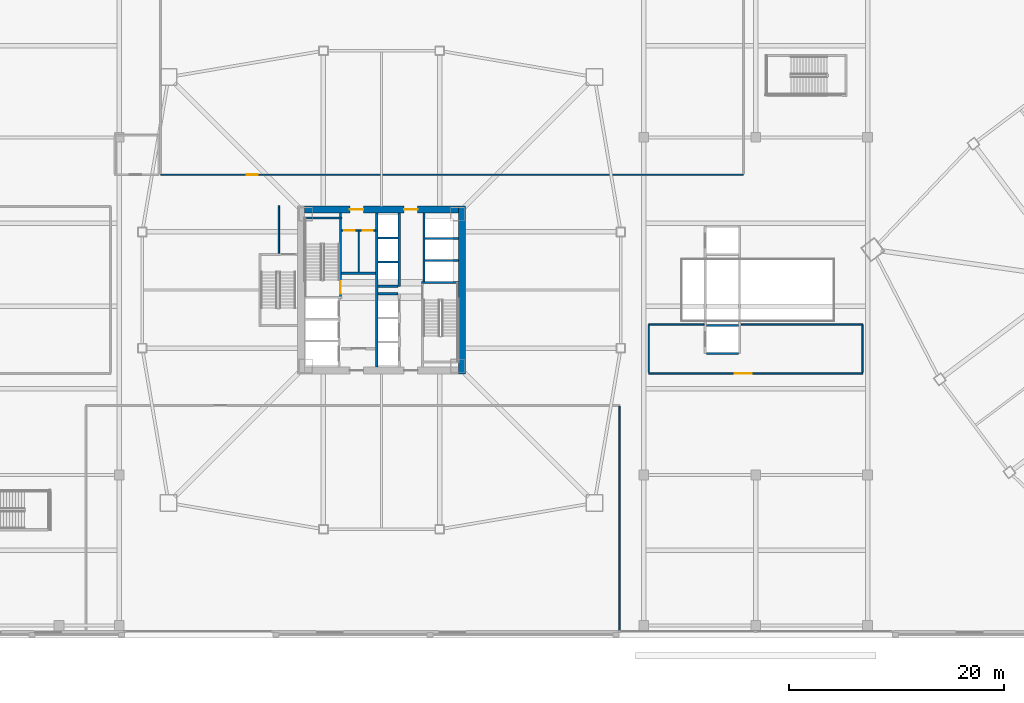
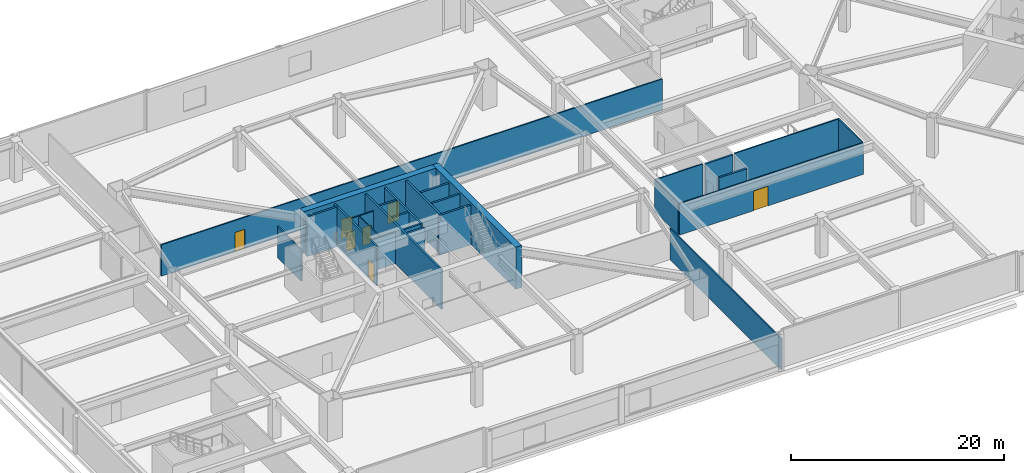
# One storey, part 31 of 44: 27 walls, 7 doors, 7 openings.
"""IFC4 building model written with IfcOpenShell, lengths in metres."""

from ifc_helpers import new_model, si_unit, direction, frame, frame_2d, origin, place, context, subcontext, project, spatial, rectangle, extrude, material, layer, layer_set, type_object, element, fill, save


model = new_model("IFC4")

# Units and contexts
model_context = context("Model", 3, precision=1e-05, world=origin(), true_north=direction((0.0, 1.0)))
body_context = subcontext(model_context, "Body", "Model", "MODEL_VIEW")
ifc_project = project(units=[si_unit("LENGTHUNIT", "METRE"), si_unit("AREAUNIT", "SQUARE_METRE"), si_unit("VOLUMEUNIT", "CUBIC_METRE"), si_unit("PLANEANGLEUNIT", "RADIAN"), si_unit("MASSUNIT", "GRAM", prefix="KILO")], contexts=[model_context])

# Site, building, storey
site_placement = place(None, origin())
site = spatial("IfcSite", under=ifc_project, at=site_placement, CompositionType="ELEMENT")
building_placement = place(site_placement, origin())
building = spatial("IfcBuilding", under=site, at=building_placement, Name="Tashvorn Skyway Center", CompositionType="ELEMENT")
storey_placement = place(building_placement, frame((0.0, 0.0, 5.39990234375)))
storey = spatial("IfcBuildingStorey", under=building, at=storey_placement, Name="L01", CompositionType="ELEMENT", Elevation=5.39990234375)

# Wall
ifc_material_1 = material(Name="Concrete C60/75", Category="concrete")
ifc_layer_1 = layer(ifc_material_1, 0.64990234375)
ifc_layer_set_1 = layer_set([ifc_layer_1], Name="Concrete C60/75")
wall_type_1 = type_object("IfcWallType", Name="WALL-CORE-650", PredefinedType="SHEAR", material=ifc_layer_set_1)
wall_1_placement = place(storey_placement, frame((49.47509765625, 39.800048828125, 0.0), z_axis=(0.0, 0.0, 1.0), x_axis=(0.0, -1.0, 0.0)))
element("IfcWall", 1, at=wall_1_placement, inside=storey, type_object=wall_type_1, Name="Tower 1 L01 East Core Shear Wall", PredefinedType="SHEAR", context=body_context, shape_type="SweptSolid", body=[
    extrude(rectangle(XDim=15.60009765625, YDim=0.64990234375, at=frame_2d((7.800048828125, 0.0))), origin(), (0.0, 0.0, 1.0), 4.800048828125),
])

# Wall, openings, doors
wall_2_placement = place(storey_placement, frame((34.85009765625, 39.47509765625, 0.0), z_axis=(0.0, 0.0, 1.0), x_axis=(1.0, 0.0, 0.0)))
wall_2 = element("IfcWall", 2, at=wall_2_placement, inside=storey, type_object=wall_type_1, Name="Tower 1 L01 North Core Shear Wall", PredefinedType="SHEAR", context=body_context, shape_type="SweptSolid", body=[
    extrude(rectangle(XDim=14.2998046875, YDim=0.64990234375, at=frame_2d((7.14990234375, 0.0))), origin(), (0.0, 0.0, 1.0), 4.800048828125),
])
opening_1_placement = place(wall_2_placement, frame((4.199951171875, 0.0, 0.0)))
opening_1 = element("IfcOpeningElement", 3, at=opening_1_placement, cuts=wall_2, Name="Opening D-FFL-1250", PredefinedType="OPENING", context=body_context, shape_type="SweptSolid", body=[
    extrude(rectangle(XDim=1.25, YDim=2.25, at=frame_2d((0.625, 1.125))), frame((0.0, 0.3349609375, 0.0), z_axis=(0.0, -1.0, 0.0), x_axis=(1.0, 0.0, 0.0)), (0.0, 0.0, 1.0), 0.669921875),
])
opening_2_placement = place(wall_2_placement, frame((9.25, 0.0, 0.0)))
opening_2 = element("IfcOpeningElement", 4, at=opening_2_placement, cuts=wall_2, Name="Opening D-FFL-1250", PredefinedType="OPENING", context=body_context, shape_type="SweptSolid", body=[
    extrude(rectangle(XDim=1.25, YDim=2.25, at=frame_2d((0.625, 1.125))), frame((0.0, 0.3349609375, 0.0), z_axis=(0.0, -1.0, 0.0), x_axis=(1.0, 0.0, 0.0)), (0.0, 0.0, 1.0), 0.669921875),
])
ifc_material_2 = material(Name="Hollow galvanized steel fire door assembly", Category="steel")
door_type_1 = type_object("IfcDoorType", Name="DOOR-FFL-1250", OperationType="NOTDEFINED", PredefinedType="DOOR", material=ifc_material_2)
door_1_placement = place(opening_1_placement, origin())
door_1 = element("IfcDoor", 5, at=door_1_placement, inside=storey, type_object=door_type_1, Name="Tower 1 L01 Core North Service Lobby Door", OperationType="SINGLE_SWING_LEFT", OverallHeight=2.25, OverallWidth=1.25, PredefinedType="DOOR", context=body_context, shape_type="SweptSolid", body=[
    extrude(rectangle(XDim=1.25, YDim=2.25, at=frame_2d((0.625, 1.125))), frame((0.0, 0.02490234375, 0.0), z_axis=(0.0, -1.0, 0.0), x_axis=(1.0, 0.0, 0.0)), (0.0, 0.0, 1.0), 0.050048828125),
])
fill(opening_1, door_1)
door_2_placement = place(opening_2_placement, origin())
door_2 = element("IfcDoor", 6, at=door_2_placement, inside=storey, type_object=door_type_1, Name="Tower 1 L01 Core North Lift Lobby Door", OperationType="SINGLE_SWING_RIGHT", OverallHeight=2.25, OverallWidth=1.25, PredefinedType="DOOR", context=body_context, shape_type="SweptSolid", body=[
    extrude(rectangle(XDim=1.25, YDim=2.25, at=frame_2d((0.625, 1.125))), frame((0.0, 0.02490234375, 0.0), z_axis=(0.0, -1.0, 0.0), x_axis=(1.0, 0.0, 0.0)), (0.0, 0.0, 1.0), 0.050048828125),
])
fill(opening_2, door_2)

# Walls
ifc_material_3 = material(Name="Concrete C40/50", Category="concrete")
ifc_layer_2 = layer(ifc_material_3, 0.219970703125)
ifc_layer_set_2 = layer_set([ifc_layer_2], Name="Concrete C40/50")
wall_type_2 = type_object("IfcWallType", Name="WALL-FFL-220", PredefinedType="SOLIDWALL", material=ifc_layer_set_2)
wall_3_placement = place(storey_placement, frame((38.300048828125, 33.56005859375, 0.0), z_axis=(0.0, 0.0, 1.0), x_axis=(1.0, 0.0, 0.0)))
element("IfcWall", 7, at=wall_3_placement, inside=storey, type_object=wall_type_2, Name="Tower 1 L01 Firefighting Lobby North Wall", PredefinedType="SOLIDWALL", context=body_context, shape_type="SweptSolid", body=[
    extrude(rectangle(XDim=3.14990234375, YDim=0.219970703125, at=frame_2d((1.574951171875, 0.0))), origin(), (0.0, 0.0, 1.0), 3.5830078125),
])
ifc_material_4 = material(Name="Gypsum board on cold-formed steel stud framing", Category="steel")
ifc_layer_3 = layer(ifc_material_4, 0.135009765625)
ifc_layer_set_3 = layer_set([ifc_layer_3], Name="Gypsum board on cold-formed steel stud framing")
wall_type_3 = type_object("IfcWallType", Name="WALL-PART-135", PredefinedType="PARTITIONING", material=ifc_layer_set_3)
wall_4_placement = place(storey_placement, frame((32.449951171875, 35.39990234375, 0.0), z_axis=(0.0, 0.0, 1.0), x_axis=(0.0, 1.0, 0.0)))
element("IfcWall", 8, at=wall_4_placement, inside=storey, type_object=wall_type_3, Name="Tower 1 L01 Stair 3 Access Corridor Wall", PredefinedType="PARTITIONING", context=body_context, shape_type="SweptSolid", body=[
    extrude(rectangle(XDim=4.4501953125, YDim=0.135009765625, at=frame_2d((2.22509765625, 0.0))), origin(), (0.0, 0.0, 1.0), 3.5830078125),
])

# Wall, opening, door
wall_5_placement = place(storey_placement, frame((66.85009765625, 24.25, 0.0), z_axis=(0.0, 0.0, 1.0), x_axis=(1.0, 0.0, 0.0)))
wall_5 = element("IfcWall", 9, at=wall_5_placement, inside=storey, type_object=wall_type_3, Name="L01 Central Hall South Wall", PredefinedType="PARTITIONING", context=body_context, shape_type="SweptSolid", body=[
    extrude(rectangle(XDim=19.89990234375, YDim=0.135009765625, at=frame_2d((9.949951171875, 0.0))), origin(), (0.0, 0.0, 1.0), 3.5830078125),
])
opening_3_placement = place(wall_5_placement, frame((8.0, 0.0, 0.0)))
opening_3 = element("IfcOpeningElement", 10, at=opening_3_placement, cuts=wall_5, Name="Opening D-DBL-1600", PredefinedType="OPENING", context=body_context, shape_type="SweptSolid", body=[
    extrude(rectangle(XDim=1.60009765625, YDim=2.25, at=frame_2d((0.800048828125, 1.125))), frame((0.0, 0.077392578125, 0.0), z_axis=(0.0, -1.0, 0.0), x_axis=(1.0, 0.0, 0.0)), (0.0, 0.0, 1.0), 0.155029296875),
])
ifc_material_5 = material(Name="Anodized aluminium and tempered safety glass", Category="aluminium")
door_type_2 = type_object("IfcDoorType", Name="DOOR-DBL-1600", OperationType="DOUBLE_DOOR_SINGLE_SWING", PredefinedType="DOOR", material=ifc_material_5)
door_3_placement = place(opening_3_placement, origin())
door_3 = element("IfcDoor", 11, at=door_3_placement, inside=storey, type_object=door_type_2, Name="L01 Transit Mezzanine Gallery Door", OperationType="DOUBLE_DOOR_SINGLE_SWING", OverallHeight=2.25, OverallWidth=1.60009765625, PredefinedType="DOOR", context=body_context, shape_type="SweptSolid", body=[
    extrude(rectangle(XDim=1.60009765625, YDim=2.25, at=frame_2d((0.800048828125, 1.125))), frame((0.0, 0.02490234375, 0.0), z_axis=(0.0, -1.0, 0.0), x_axis=(1.0, 0.0, 0.0)), (0.0, 0.0, 1.0), 0.050048828125),
])
fill(opening_3, door_3)

# Walls
for number, where, z_axis, x_axis, name in (
    (12, (66.85009765625, 24.35009765625, 0.0), (0.0, 0.0, 1.0), (0.0, 1.0, 0.0), "L01 Central Hall West Wall"),
    (13, (86.75, 24.35009765625, 0.0), (0.0, 0.0, 1.0), (0.0, 1.0, 0.0), "L01 Central Hall East Wall"),
):
    element("IfcWall", number, at=place(storey_placement, frame(where, z_axis=z_axis, x_axis=x_axis)), inside=storey, type_object=wall_type_3, Name=name, PredefinedType="PARTITIONING", context=body_context, shape_type="SweptSolid", body=[
        extrude(rectangle(XDim=4.39990234375, YDim=0.135009765625, at=frame_2d((2.199951171875, 0.0))), origin(), (0.0, 0.0, 1.0), 3.5830078125),
    ])
wall_6_placement = place(storey_placement, frame((66.85009765625, 28.800048828125, 0.0), z_axis=(0.0, 0.0, 1.0), x_axis=(1.0, 0.0, 0.0)))
element("IfcWall", 14, at=wall_6_placement, inside=storey, type_object=wall_type_3, Name="L01 Atrium Gallery South-West Wall", PredefinedType="PARTITIONING", context=body_context, shape_type="SweptSolid", body=[
    extrude(rectangle(XDim=5.14990234375, YDim=0.135009765625, at=frame_2d((2.574951171875, 0.0))), origin(), (0.0, 0.0, 1.0), 3.5830078125),
])
wall_7_placement = place(storey_placement, frame((75.449951171875, 28.800048828125, 0.0), z_axis=(0.0, 0.0, 1.0), x_axis=(1.0, 0.0, 0.0)))
element("IfcWall", 15, at=wall_7_placement, inside=storey, type_object=wall_type_3, Name="L01 Atrium Gallery South-East Wall", PredefinedType="PARTITIONING", context=body_context, shape_type="SweptSolid", body=[
    extrude(rectangle(XDim=11.300048828125, YDim=0.135009765625, at=frame_2d((5.64990234375, 0.0))), origin(), (0.0, 0.0, 1.0), 3.5830078125),
])

# Wall, opening, door
wall_8_placement = place(storey_placement, frame((21.449951171875, 42.719970703125, 0.0), z_axis=(0.0, 0.0, 1.0), x_axis=(1.0, 0.0, 0.0)))
wall_8 = element("IfcWall", 16, at=wall_8_placement, inside=storey, type_object=wall_type_3, Name="L01 North Suite Wall", PredefinedType="PARTITIONING", context=body_context, shape_type="SweptSolid", body=[
    extrude(rectangle(XDim=54.199951171875, YDim=0.135009765625, at=frame_2d((27.10009765625, 0.0))), origin(), (0.0, 0.0, 1.0), 3.5830078125),
])
opening_4_placement = place(wall_8_placement, frame((8.0, 0.0, 0.0)))
opening_4 = element("IfcOpeningElement", 17, at=opening_4_placement, cuts=wall_8, Name="Opening D-ACC-1050", PredefinedType="OPENING", context=body_context, shape_type="SweptSolid", body=[
    extrude(rectangle(XDim=1.050048828125, YDim=2.199951171875, at=frame_2d((0.52490234375, 1.10009765625))), frame((0.0, 0.077392578125, 0.0), z_axis=(0.0, -1.0, 0.0), x_axis=(1.0, 0.0, 0.0)), (0.0, 0.0, 1.0), 0.155029296875),
])
ifc_material_6 = material(Name="Solid-core architectural oak veneer door")
door_type_3 = type_object("IfcDoorType", Name="DOOR-ACC-1050", OperationType="NOTDEFINED", PredefinedType="DOOR", material=ifc_material_6)
door_4_placement = place(opening_4_placement, origin())
door_4 = element("IfcDoor", 18, at=door_4_placement, inside=storey, type_object=door_type_3, Name="L01 Open Plan Office Door", OperationType="SINGLE_SWING_RIGHT", OverallHeight=2.199951171875, OverallWidth=1.050048828125, PredefinedType="DOOR", context=body_context, shape_type="SweptSolid", body=[
    extrude(rectangle(XDim=1.050048828125, YDim=2.199951171875, at=frame_2d((0.52490234375, 1.10009765625))), frame((0.0, 0.02490234375, 0.0), z_axis=(0.0, -1.0, 0.0), x_axis=(1.0, 0.0, 0.0)), (0.0, 0.0, 1.0), 0.050048828125),
])
fill(opening_4, door_4)

# Walls
wall_9_placement = place(storey_placement, frame((64.14990234375, 0.35009765625, 0.0), z_axis=(0.0, 0.0, 1.0), x_axis=(0.0, 1.0, 0.0)))
element("IfcWall", 19, at=wall_9_placement, inside=storey, type_object=wall_type_3, Name="L01 South Suite East Wall", PredefinedType="PARTITIONING", context=body_context, shape_type="SweptSolid", body=[
    extrude(rectangle(XDim=20.849853515625, YDim=0.135009765625, at=frame_2d((10.4248046875, 0.0))), origin(), (0.0, 0.0, 1.0), 3.5830078125),
])
ifc_layer_4 = layer(ifc_material_4, 0.110107421875)
ifc_layer_set_4 = layer_set([ifc_layer_4], Name="Gypsum board on cold-formed steel stud framing")
wall_type_4 = type_object("IfcWallType", Name="WALL-RATED-110", PredefinedType="PARTITIONING", material=ifc_layer_set_4)
wall_10_placement = place(storey_placement, frame((39.8798828125, 33.679931640625, 0.0), z_axis=(0.0, 0.0, 1.0), x_axis=(0.0, 1.0, 0.0)))
element("IfcWall", 20, at=wall_10_placement, inside=storey, type_object=wall_type_4, Name="Tower 1 L01 Core Split Partition", PredefinedType="PARTITIONING", context=body_context, shape_type="SweptSolid", body=[
    extrude(rectangle(XDim=3.800048828125, YDim=0.110107421875, at=frame_2d((1.89990234375, 0.0))), origin(), (0.0, 0.0, 1.0), 3.5830078125),
])

# Wall, openings, doors
ifc_layer_5 = layer(ifc_material_4, 0.135009765625)
ifc_layer_set_5 = layer_set([ifc_layer_5], Name="Gypsum board on cold-formed steel stud framing")
wall_type_5 = type_object("IfcWallType", Name="WALL-RATED-135", PredefinedType="PARTITIONING", material=ifc_layer_set_5)
wall_11_placement = place(storey_placement, frame((38.300048828125, 37.550048828125, 0.0), z_axis=(0.0, 0.0, 1.0), x_axis=(1.0, 0.0, 0.0)))
wall_11 = element("IfcWall", 21, at=wall_11_placement, inside=storey, type_object=wall_type_5, Name="Tower 1 L01 Core Service Lobby Wall", PredefinedType="PARTITIONING", context=body_context, shape_type="SweptSolid", body=[
    extrude(rectangle(XDim=3.14990234375, YDim=0.135009765625, at=frame_2d((1.574951171875, 0.0))), origin(), (0.0, 0.0, 1.0), 3.5830078125),
])
opening_5_placement = place(wall_11_placement, frame((0.25, 0.0, 0.0)))
opening_5 = element("IfcOpeningElement", 22, at=opening_5_placement, cuts=wall_11, Name="Opening D-RT-950", PredefinedType="OPENING", context=body_context, shape_type="SweptSolid", body=[
    extrude(rectangle(XDim=0.949951171875, YDim=2.050048828125, at=frame_2d((0.47509765625, 1.02490234375))), frame((0.0, 0.077392578125, 0.0), z_axis=(0.0, -1.0, 0.0), x_axis=(1.0, 0.0, 0.0)), (0.0, 0.0, 1.0), 0.155029296875),
])
opening_6_placement = place(wall_11_placement, frame((1.949951171875, 0.0, 0.0)))
opening_6 = element("IfcOpeningElement", 23, at=opening_6_placement, cuts=wall_11, Name="Opening D-RT-950", PredefinedType="OPENING", context=body_context, shape_type="SweptSolid", body=[
    extrude(rectangle(XDim=0.949951171875, YDim=2.050048828125, at=frame_2d((0.47509765625, 1.02490234375))), frame((0.0, 0.077392578125, 0.0), z_axis=(0.0, -1.0, 0.0), x_axis=(1.0, 0.0, 0.0)), (0.0, 0.0, 1.0), 0.155029296875),
])
door_type_4 = type_object("IfcDoorType", Name="DOOR-RATED-950", OperationType="NOTDEFINED", PredefinedType="DOOR", material=ifc_material_2)
door_5_placement = place(opening_5_placement, origin())
door_5 = element("IfcDoor", 24, at=door_5_placement, inside=storey, type_object=door_type_4, Name="Tower 1 L01 Core Accessible WC Door", OperationType="SINGLE_SWING_LEFT", OverallHeight=2.050048828125, OverallWidth=0.949951171875, PredefinedType="DOOR", context=body_context, shape_type="SweptSolid", body=[
    extrude(rectangle(XDim=0.949951171875, YDim=2.050048828125, at=frame_2d((0.47509765625, 1.02490234375))), frame((0.0, 0.02490234375, 0.0), z_axis=(0.0, -1.0, 0.0), x_axis=(1.0, 0.0, 0.0)), (0.0, 0.0, 1.0), 0.050048828125),
])
fill(opening_5, door_5)
door_6_placement = place(opening_6_placement, origin())
door_6 = element("IfcDoor", 25, at=door_6_placement, inside=storey, type_object=door_type_4, Name="Tower 1 L01 Core Cleaner Store Door", OperationType="SINGLE_SWING_RIGHT", OverallHeight=2.050048828125, OverallWidth=0.949951171875, PredefinedType="DOOR", context=body_context, shape_type="SweptSolid", body=[
    extrude(rectangle(XDim=0.949951171875, YDim=2.050048828125, at=frame_2d((0.47509765625, 1.02490234375))), frame((0.0, 0.02490234375, 0.0), z_axis=(0.0, -1.0, 0.0), x_axis=(1.0, 0.0, 0.0)), (0.0, 0.0, 1.0), 0.050048828125),
])
fill(opening_6, door_6)

# Walls
ifc_layer_6 = layer(ifc_material_3, 0.199951171875)
ifc_layer_set_6 = layer_set([ifc_layer_6], Name="Concrete C40/50")
wall_type_6 = type_object("IfcWallType", Name="WALL-SHAFT-200", PredefinedType="SOLIDWALL", material=ifc_layer_set_6)
for number, where, z_axis, x_axis, name in (
    (26, (46.050048828125, 34.75, 0.0), (0.0, 0.0, 1.0), (1.0, 0.0, 0.0), "Tower 1 L01 High-Rise Shaft Divider"),
    (27, (46.050048828125, 36.800048828125, 0.0), (0.0, 0.0, 1.0), (1.0, 0.0, 0.0), "Tower 1 L01 High-Rise Shaft Divider"),
):
    element("IfcWall", number, at=place(storey_placement, frame(where, z_axis=z_axis, x_axis=x_axis)), inside=storey, type_object=wall_type_6, Name=name, PredefinedType="SOLIDWALL", context=body_context, shape_type="SweptSolid", body=[
        extrude(rectangle(XDim=3.099853515625, YDim=0.199951171875, at=frame_2d((1.5498046875, 0.0))), origin(), (0.0, 0.0, 1.0), 4.5400390625),
    ])
wall_12_placement = place(storey_placement, frame((41.669921875, 31.64990234375, 0.0), z_axis=(0.0, 0.0, 1.0), x_axis=(1.0, 0.0, 0.0)))
element("IfcWall", 28, at=wall_12_placement, inside=storey, type_object=wall_type_6, Name="Tower 1 L01 Low-Rise Shaft Divider", PredefinedType="SOLIDWALL", context=body_context, shape_type="SweptSolid", body=[
    extrude(rectangle(XDim=1.880126953125, YDim=0.199951171875, at=frame_2d((0.93994140625, 0.0))), origin(), (0.0, 0.0, 1.0), 4.5400390625),
])
wall_13_placement = place(storey_placement, frame((43.64990234375, 32.35009765625, 0.0), z_axis=(0.0, 0.0, 1.0), x_axis=(0.0, 1.0, 0.0)))
element("IfcWall", 29, at=wall_13_placement, inside=storey, type_object=wall_type_6, Name="Tower 1 L01 Mid-Rise Core Wall", PredefinedType="SOLIDWALL", context=body_context, shape_type="SweptSolid", body=[
    extrude(rectangle(XDim=6.7998046875, YDim=0.199951171875, at=frame_2d((3.39990234375, 0.0))), origin(), (0.0, 0.0, 1.0), 4.5400390625),
])
for number, where, z_axis, x_axis, name in (
    (30, (41.669921875, 32.35009765625, 0.0), (0.0, 0.0, 1.0), (1.0, 0.0, 0.0), "Tower 1 L01 Mid-Rise Shaft Divider"),
    (31, (41.669921875, 34.60009765625, 0.0), (0.0, 0.0, 1.0), (1.0, 0.0, 0.0), "Tower 1 L01 Mid-Rise Shaft Divider"),
    (32, (41.669921875, 36.85009765625, 0.0), (0.0, 0.0, 1.0), (1.0, 0.0, 0.0), "Tower 1 L01 Mid-Rise Shaft Divider"),
):
    element("IfcWall", number, at=place(storey_placement, frame(where, z_axis=z_axis, x_axis=x_axis)), inside=storey, type_object=wall_type_6, Name=name, PredefinedType="SOLIDWALL", context=body_context, shape_type="SweptSolid", body=[
        extrude(rectangle(XDim=1.880126953125, YDim=0.199951171875, at=frame_2d((0.93994140625, 0.0))), origin(), (0.0, 0.0, 1.0), 4.5400390625),
    ])
for number, where, z_axis, x_axis, name in (
    (33, (72.199951171875, 26.10009765625, 0.0), (0.0, 0.0, 1.0), (1.0, 0.0, 0.0), "L01 Station Lift Divider"),
    (34, (72.199951171875, 28.699951171875, 0.0), (0.0, 0.0, 1.0), (1.0, 0.0, 0.0), "L01 Station Lift Divider"),
):
    element("IfcWall", number, at=place(storey_placement, frame(where, z_axis=z_axis, x_axis=x_axis)), inside=storey, type_object=wall_type_6, Name=name, PredefinedType="SOLIDWALL", context=body_context, shape_type="SweptSolid", body=[
        extrude(rectangle(XDim=3.0, YDim=0.199951171875, at=frame_2d((1.5, 0.0))), origin(), (0.0, 0.0, 1.0), 3.5830078125),
    ])

# Wall, opening, door
ifc_layer_7 = layer(ifc_material_3, 0.199951171875)
ifc_layer_set_7 = layer_set([ifc_layer_7], Name="Concrete C40/50")
wall_type_7 = type_object("IfcWallType", Name="WALL-STSHF-200", PredefinedType="SHEAR", material=ifc_layer_set_7)
wall_14_placement = place(storey_placement, frame((38.199951171875, 31.199951171875, 0.0), z_axis=(0.0, 0.0, 1.0), x_axis=(0.0, 1.0, 0.0)))
wall_14 = element("IfcWall", 35, at=wall_14_placement, inside=storey, type_object=wall_type_7, Name="Tower 1 L01 Stair 1 Enclosure Wall", PredefinedType="SHEAR", context=body_context, shape_type="SweptSolid", body=[
    extrude(rectangle(XDim=7.949951171875, YDim=0.199951171875, at=frame_2d((3.97509765625, 0.0))), origin(), (0.0, 0.0, 1.0), 4.5400390625),
])
opening_7_placement = place(wall_14_placement, frame((0.449951171875, 0.0, 0.0)))
opening_7 = element("IfcOpeningElement", 36, at=opening_7_placement, cuts=wall_14, Name="Opening D-ST-1150", PredefinedType="OPENING", context=body_context, shape_type="SweptSolid", body=[
    extrude(rectangle(XDim=1.14990234375, YDim=2.199951171875, at=frame_2d((0.574951171875, 1.10009765625))), frame((0.0, 0.10986328125, 0.0), z_axis=(0.0, -1.0, 0.0), x_axis=(1.0, 0.0, 0.0)), (0.0, 0.0, 1.0), 0.219970703125),
])
door_type_5 = type_object("IfcDoorType", Name="DOOR-STAIR-1150", OperationType="NOTDEFINED", PredefinedType="DOOR", material=ifc_material_2)
door_7_placement = place(opening_7_placement, origin())
door_7 = element("IfcDoor", 37, at=door_7_placement, inside=storey, type_object=door_type_5, Name="Tower 1 L01 Exit Stair 1 Door", OperationType="SINGLE_SWING_RIGHT", OverallHeight=2.199951171875, OverallWidth=1.14990234375, PredefinedType="DOOR", context=body_context, shape_type="SweptSolid", body=[
    extrude(rectangle(XDim=1.14990234375, YDim=2.199951171875, at=frame_2d((0.574951171875, 1.10009765625))), frame((0.0, 0.02490234375, 0.0), z_axis=(0.0, -1.0, 0.0), x_axis=(1.0, 0.0, 0.0)), (0.0, 0.0, 1.0), 0.050048828125),
])
fill(opening_7, door_7)

# Walls
for number, where, z_axis, x_axis, name in (
    (38, (34.85009765625, 38.699951171875, 0.0), (0.0, 0.0, 1.0), (1.0, 0.0, 0.0), "Tower 1 L01 Stair 1 North Wall"),
    (39, (45.699951171875, 32.699951171875, 0.0), (0.0, 0.0, 1.0), (1.0, 0.0, 0.0), "Tower 1 L01 Stair 2 North Wall"),
):
    element("IfcWall", number, at=place(storey_placement, frame(where, z_axis=z_axis, x_axis=x_axis)), inside=storey, type_object=wall_type_7, Name=name, PredefinedType="SHEAR", context=body_context, shape_type="SweptSolid", body=[
        extrude(rectangle(XDim=3.449951171875, YDim=0.199951171875, at=frame_2d((1.72509765625, 0.0))), origin(), (0.0, 0.0, 1.0), 4.5400390625),
    ])
wall_15_placement = place(storey_placement, frame((41.56005859375, 24.85009765625, 0.0), z_axis=(0.0, 0.0, 1.0), x_axis=(0.0, 1.0, 0.0)))
element("IfcWall", 40, at=wall_15_placement, inside=storey, type_object=wall_type_7, Name="Tower 1 L01 Firefighting Lobby East Smoke Barrier", PredefinedType="SHEAR", context=body_context, shape_type="SweptSolid", body=[
    extrude(rectangle(XDim=14.2998046875, YDim=0.199951171875, at=frame_2d((7.14990234375, 0.0))), origin(), (0.0, 0.0, 1.0), 4.5400390625),
])
wall_16_placement = place(storey_placement, frame((45.949951171875, 39.14990234375, 0.0), z_axis=(0.0, 0.0, 1.0), x_axis=(0.0, -1.0, 0.0)))
element("IfcWall", 41, at=wall_16_placement, inside=storey, type_object=wall_type_7, Name="Tower 1 L01 High-Rise Lift Shaft Front Wall", PredefinedType="SHEAR", context=body_context, shape_type="SweptSolid", body=[
    extrude(rectangle(XDim=6.349853515625, YDim=0.199951171875, at=frame_2d((3.1748046875, 0.0))), origin(), (0.0, 0.0, 1.0), 4.5400390625),
])

save(model, "model.ifc")
